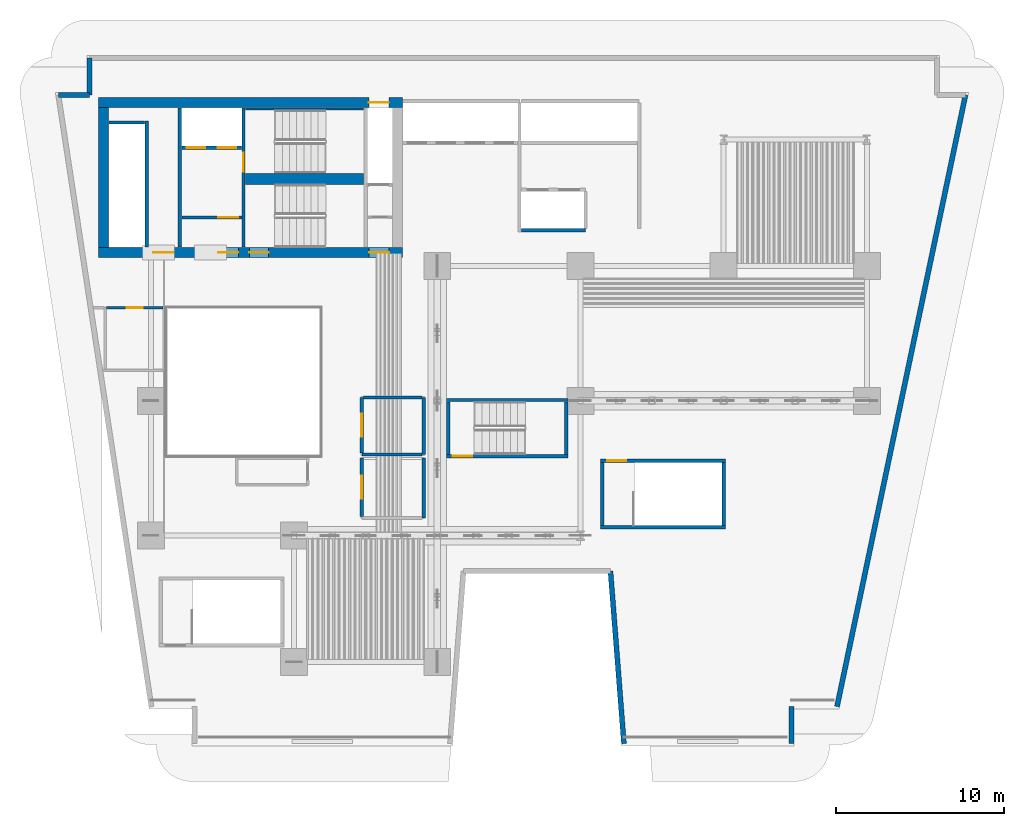
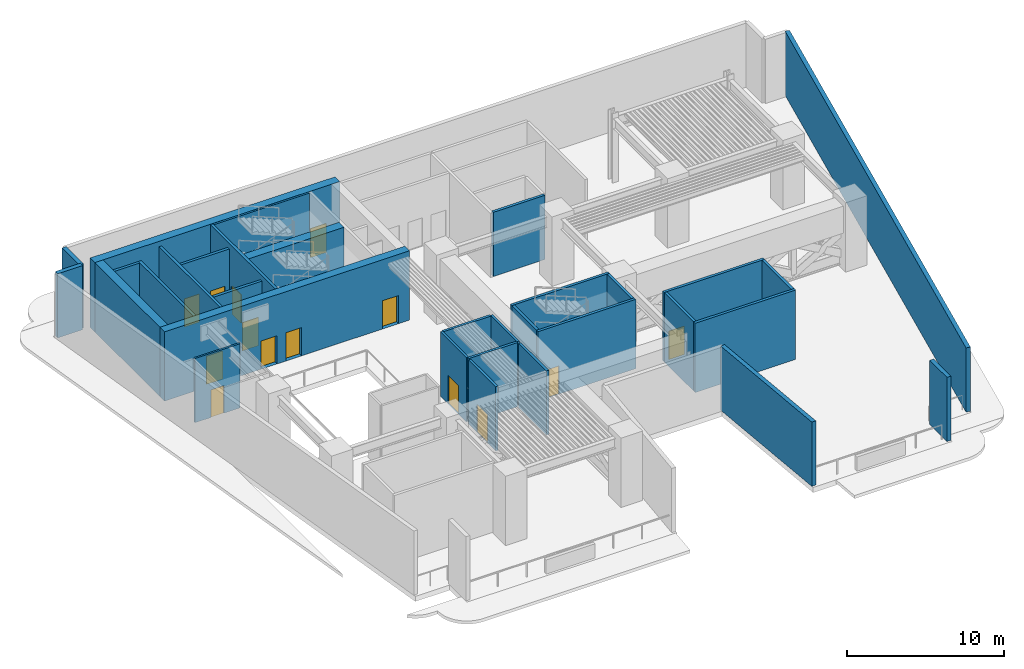
# One storey, part 4 of 9: 32 walls, 14 doors, 14 openings.
"""IFC4 building model written with IfcOpenShell, lengths in metres."""

from ifc_helpers import new_model, si_unit, direction, frame, frame_2d, origin, place, context, subcontext, project, spatial, rectangle, extrude, material, layer, layer_set, type_object, element, fill, save


model = new_model("IFC4")

# Units and contexts
model_context = context("Model", 3, precision=1e-05, world=origin(), true_north=direction((0.0, 1.0)))
body_context = subcontext(model_context, "Body", "Model", "MODEL_VIEW")
ifc_project = project(units=[si_unit("LENGTHUNIT", "METRE"), si_unit("AREAUNIT", "SQUARE_METRE"), si_unit("VOLUMEUNIT", "CUBIC_METRE"), si_unit("PLANEANGLEUNIT", "RADIAN"), si_unit("MASSUNIT", "GRAM", prefix="KILO")], contexts=[model_context])

# Site, building, storey
site_placement = place(None, origin())
site = spatial("IfcSite", under=ifc_project, at=site_placement, CompositionType="ELEMENT")
building_placement = place(site_placement, origin())
building = spatial("IfcBuilding", under=site, at=building_placement, Name="Caeloran Harvest Quay", CompositionType="ELEMENT")
storey_placement = place(building_placement, frame((0.0, 0.0, 21.60009765625)))
storey = spatial("IfcBuildingStorey", under=building, at=storey_placement, Name="L05", CompositionType="ELEMENT", Elevation=21.60009765625)

# Walls
ifc_material_1 = material(Name="Precast concrete C50/60", Category="concrete")
ifc_layer_1 = layer(ifc_material_1, 0.300048828125, Name="Precast concrete C50/60")
ifc_layer_set_1 = layer_set([ifc_layer_1], Name="Precast concrete C50/60")
wall_type_1 = type_object("IfcWallType", Name="ENV-WALL-EW-300", PredefinedType="STANDARD", material=ifc_layer_set_1)
wall_1_placement = place(storey_placement, frame((3.00927734375, 41.14990234375, 0.0), z_axis=(0.0, 0.0, 1.0), x_axis=(1.0, 0.0, 0.0)))
element("IfcWall", 1, at=wall_1_placement, inside=storey, type_object=wall_type_1, Name="L05 Exterior Precast Concrete Facade Wall 4", PredefinedType="STANDARD", context=body_context, shape_type="SweptSolid", body=[
    extrude(rectangle(XDim=1.8408203125, YDim=0.300048828125, at=frame_2d((0.92041015625, 0.0))), origin(), (0.0, 0.0, 1.0), 5.0),
])
wall_2_placement = place(storey_placement, frame((4.85009765625, 41.14990234375, 0.0), z_axis=(0.0, 0.0, 1.0), x_axis=(0.0, 1.0, 0.0)))
element("IfcWall", 2, at=wall_2_placement, inside=storey, type_object=wall_type_1, Name="L05 Exterior Precast Concrete Facade Wall 5", PredefinedType="STANDARD", context=body_context, shape_type="SweptSolid", body=[
    extrude(rectangle(XDim=2.2001953125, YDim=0.300048828125, at=frame_2d((1.10009765625, 0.0))), origin(), (0.0, 0.0, 1.0), 5.0),
])
wall_3_placement = place(storey_placement, frame((56.85302734375, 41.14990234375, 0.0), z_axis=(0.0, 0.0, 1.0), x_axis=(-0.205588847133, -0.978638455168, 0.0)))
element("IfcWall", 3, at=wall_3_placement, inside=storey, type_object=wall_type_1, Name="L05 Exterior Precast Concrete Facade Wall 9", PredefinedType="STANDARD", context=body_context, shape_type="SweptSolid", body=[
    extrude(rectangle(XDim=37.092041015625, YDim=0.300048828125, at=frame_2d((18.5458984375, 0.0))), origin(), (0.0, 0.0, 1.0), 5.0),
])
wall_4_placement = place(storey_placement, frame((46.537109375, 4.85009765625, 0.0), z_axis=(0.0, 0.0, 1.0), x_axis=(0.0, -1.0, 0.0)))
element("IfcWall", 4, at=wall_4_placement, inside=storey, type_object=wall_type_1, Name="L05 Exterior Precast Concrete Facade Wall 11", PredefinedType="STANDARD", context=body_context, shape_type="SweptSolid", body=[
    extrude(rectangle(XDim=2.2001953125, YDim=0.300048828125, at=frame_2d((1.10009765625, 0.0))), origin(), (0.0, 0.0, 1.0), 5.0),
])
wall_5_placement = place(storey_placement, frame((36.5791015625, 2.64990234375, 0.0), z_axis=(0.0, 0.0, 1.0), x_axis=(-0.077793257511, 0.996969512616, 0.0)))
element("IfcWall", 5, at=wall_5_placement, inside=storey, type_object=wall_type_1, Name="L05 Exterior Precast Concrete Facade Wall 13", PredefinedType="STANDARD", context=body_context, shape_type="SweptSolid", body=[
    extrude(rectangle(XDim=10.28125, YDim=0.300048828125, at=frame_2d((5.140625, 0.0))), origin(), (0.0, 0.0, 1.0), 5.0),
])

# Wall, opening, door
ifc_material_2 = material(Name="Moisture-Resistant Cement-Board Sanitary Partition", Category="gypsum")
ifc_layer_2 = layer(ifc_material_2, 0.139892578125, Name="Moisture-Resistant Cement-Board Sanitary Partition")
ifc_layer_set_2 = layer_set([ifc_layer_2], Name="Moisture-Resistant Cement-Board Sanitary Partition")
wall_type_2 = type_object("IfcWallType", Name="INT-WALL-PW-140", PredefinedType="PARTITIONING", material=ifc_layer_set_2)
wall_6_placement = place(storey_placement, frame((5.875, 28.52001953125, 0.0), z_axis=(0.0, 0.0, 1.0), x_axis=(1.0, 0.0, 0.0)))
wall_6 = element("IfcWall", 6, at=wall_6_placement, inside=storey, type_object=wall_type_2, Name="L05 Refuge Accessible Unisex Washroom WC Partition Wall", PredefinedType="PARTITIONING", context=body_context, shape_type="SweptSolid", body=[
    extrude(rectangle(XDim=3.340087890625, YDim=0.139892578125, at=frame_2d((1.669921875, 0.0))), origin(), (0.0, 0.0, 1.0), 5.0),
])
opening_1_placement = place(wall_6_placement, frame((1.195068359375, 0.0, 0.0)))
opening_1 = element("IfcOpeningElement", 7, at=opening_1_placement, cuts=wall_6, Name="Opening WC-01", PredefinedType="OPENING", context=body_context, shape_type="SweptSolid", body=[
    extrude(rectangle(XDim=0.949951171875, YDim=2.14990234375, at=frame_2d((0.47509765625, 1.074951171875))), frame((0.0, 0.080078125, 0.0), z_axis=(0.0, -1.0, 0.0), x_axis=(1.0, 0.0, 0.0)), (0.0, 0.0, 1.0), 0.159912109375),
])
ifc_material_3 = material(Name="High-Pressure Laminate Moisture-Resistant Timber", Category="wood")
door_type_1 = type_object("IfcDoorType", Name="INTDOOR-WC-01", OperationType="NOTDEFINED", PredefinedType="DOOR", material=ifc_material_3)
door_1_placement = place(opening_1_placement, origin())
door_1 = element("IfcDoor", 8, at=door_1_placement, inside=storey, type_object=door_type_1, Name="L05 Refuge Accessible Unisex Washroom WC Access Door", OperationType="SINGLE_SWING_RIGHT", OverallHeight=2.14990234375, OverallWidth=0.949951171875, PredefinedType="DOOR", context=body_context, shape_type="SweptSolid", body=[
    extrude(rectangle(XDim=0.949951171875, YDim=2.14990234375, at=frame_2d((0.47509765625, 1.074951171875))), frame((0.0, 0.02490234375, 0.0), z_axis=(0.0, -1.0, 0.0), x_axis=(1.0, 0.0, 0.0)), (0.0, 0.0, 1.0), 0.050048828125),
])
fill(opening_1, door_1)

# Walls
ifc_material_4 = material(Name="Autoclaved Aerated Concrete Blockwork", Category="masonry")
ifc_layer_3 = layer(ifc_material_4, 0.179931640625, Name="Autoclaved Aerated Concrete Blockwork")
ifc_layer_set_3 = layer_set([ifc_layer_3], Name="Autoclaved Aerated Concrete Blockwork")
wall_type_3 = type_object("IfcWallType", Name="INT-WALL-PW-180", PredefinedType="PARTITIONING", material=ifc_layer_set_3)
wall_7_placement = place(storey_placement, frame((24.699951171875, 23.199951171875, 0.0), z_axis=(0.0, 0.0, 1.0), x_axis=(0.0, -1.0, 0.0)))
element("IfcWall", 9, at=wall_7_placement, inside=storey, type_object=wall_type_3, Name="L05 Dedicated Outdoor Air Handling and Dehumidification Plant Room Partition Wall", PredefinedType="PARTITIONING", context=body_context, shape_type="SweptSolid", body=[
    extrude(rectangle(XDim=3.39990234375, YDim=0.179931640625, at=frame_2d((1.699951171875, 0.0))), origin(), (0.0, 0.0, 1.0), 5.0),
])
wall_8_placement = place(storey_placement, frame((24.60498046875, 19.800048828125, 0.0), z_axis=(0.0, 0.0, 1.0), x_axis=(-1.0, 0.0, 0.0)))
element("IfcWall", 10, at=wall_8_placement, inside=storey, type_object=wall_type_3, Name="L05 Dedicated Outdoor Air Handling and Dehumidification Plant Room Partition Wall", PredefinedType="PARTITIONING", context=body_context, shape_type="SweptSolid", body=[
    extrude(rectangle(XDim=3.5849609375, YDim=0.179931640625, at=frame_2d((1.79248046875, 0.0))), origin(), (0.0, 0.0, 1.0), 5.0),
])

# Wall, opening, door
wall_9_placement = place(storey_placement, frame((21.02001953125, 19.89501953125, 0.0), z_axis=(0.0, 0.0, 1.0), x_axis=(0.0, 1.0, 0.0)))
wall_9 = element("IfcWall", 11, at=wall_9_placement, inside=storey, type_object=wall_type_3, Name="L05 Dedicated Outdoor Air Handling and Dehumidification Plant Room Partition Wall", PredefinedType="PARTITIONING", context=body_context, shape_type="SweptSolid", body=[
    extrude(rectangle(XDim=3.304931640625, YDim=0.179931640625, at=frame_2d((1.65234375, 0.0))), origin(), (0.0, 0.0, 1.0), 5.0),
])
opening_2_placement = place(wall_9_placement, frame((0.9775390625, 0.0, 0.0)))
opening_2 = element("IfcOpeningElement", 12, at=opening_2_placement, cuts=wall_9, Name="Opening ID-02", PredefinedType="OPENING", context=body_context, shape_type="SweptSolid", body=[
    extrude(rectangle(XDim=1.35009765625, YDim=2.199951171875, at=frame_2d((0.675048828125, 1.10009765625))), frame((0.0, 0.10009765625, 0.0), z_axis=(0.0, -1.0, 0.0), x_axis=(1.0, 0.0, 0.0)), (0.0, 0.0, 1.0), 0.199951171875),
])
ifc_material_5 = material(Name="Powder-Coated Steel Acoustic Leaf", Category="steel")
door_type_2 = type_object("IfcDoorType", Name="INTDOOR-ID-02", OperationType="NOTDEFINED", PredefinedType="DOOR", material=ifc_material_5)
door_2_placement = place(opening_2_placement, origin())
door_2 = element("IfcDoor", 13, at=door_2_placement, inside=storey, type_object=door_type_2, Name="L05 Dedicated Outdoor Air Handling and Dehumidification Plant Room Access Door", OperationType="SINGLE_SWING_LEFT", OverallHeight=2.199951171875, OverallWidth=1.35009765625, PredefinedType="DOOR", context=body_context, shape_type="SweptSolid", body=[
    extrude(rectangle(XDim=1.35009765625, YDim=2.199951171875, at=frame_2d((0.675048828125, 1.10009765625))), frame((0.0, 0.02490234375, 0.0), z_axis=(0.0, -1.0, 0.0), x_axis=(1.0, 0.0, 0.0)), (0.0, 0.0, 1.0), 0.050048828125),
])
fill(opening_2, door_2)

# Walls
wall_10_placement = place(storey_placement, frame((21.114990234375, 23.199951171875, 0.0), z_axis=(0.0, 0.0, 1.0), x_axis=(1.0, 0.0, 0.0)))
element("IfcWall", 14, at=wall_10_placement, inside=storey, type_object=wall_type_3, Name="L05 Dedicated Outdoor Air Handling and Dehumidification Plant Room Partition Wall", PredefinedType="PARTITIONING", context=body_context, shape_type="SweptSolid", body=[
    extrude(rectangle(XDim=3.489990234375, YDim=0.179931640625, at=frame_2d((1.7451171875, 0.0))), origin(), (0.0, 0.0, 1.0), 5.0),
])
wall_11_placement = place(storey_placement, frame((24.699951171875, 19.60009765625, 0.0), z_axis=(0.0, 0.0, 1.0), x_axis=(0.0, -1.0, 0.0)))
element("IfcWall", 15, at=wall_11_placement, inside=storey, type_object=wall_type_3, Name="L05 Zone Chilled-Water Heat Exchanger and Pump Plant Room Partition Wall", PredefinedType="PARTITIONING", context=body_context, shape_type="SweptSolid", body=[
    extrude(rectangle(XDim=3.550048828125, YDim=0.179931640625, at=frame_2d((1.77490234375, 0.0))), origin(), (0.0, 0.0, 1.0), 5.0),
])

# Wall, opening, door
wall_12_placement = place(storey_placement, frame((21.02001953125, 16.14501953125, 0.0), z_axis=(0.0, 0.0, 1.0), x_axis=(0.0, 1.0, 0.0)))
wall_12 = element("IfcWall", 16, at=wall_12_placement, inside=storey, type_object=wall_type_3, Name="L05 Zone Chilled-Water Heat Exchanger and Pump Plant Room Partition Wall", PredefinedType="PARTITIONING", context=body_context, shape_type="SweptSolid", body=[
    extrude(rectangle(XDim=3.455078125, YDim=0.179931640625, at=frame_2d((1.7275390625, 0.0))), origin(), (0.0, 0.0, 1.0), 5.0),
])
opening_3_placement = place(wall_12_placement, frame((1.052490234375, 0.0, 0.0)))
opening_3 = element("IfcOpeningElement", 17, at=opening_3_placement, cuts=wall_12, Name="Opening ID-02", PredefinedType="OPENING", context=body_context, shape_type="SweptSolid", body=[
    extrude(rectangle(XDim=1.35009765625, YDim=2.199951171875, at=frame_2d((0.675048828125, 1.10009765625))), frame((0.0, 0.10009765625, 0.0), z_axis=(0.0, -1.0, 0.0), x_axis=(1.0, 0.0, 0.0)), (0.0, 0.0, 1.0), 0.199951171875),
])
door_3_placement = place(opening_3_placement, origin())
door_3 = element("IfcDoor", 18, at=door_3_placement, inside=storey, type_object=door_type_2, Name="L05 Zone Chilled-Water Heat Exchanger and Pump Plant Room Access Door", OperationType="SINGLE_SWING_RIGHT", OverallHeight=2.199951171875, OverallWidth=1.35009765625, PredefinedType="DOOR", context=body_context, shape_type="SweptSolid", body=[
    extrude(rectangle(XDim=1.35009765625, YDim=2.199951171875, at=frame_2d((0.675048828125, 1.10009765625))), frame((0.0, 0.02490234375, 0.0), z_axis=(0.0, -1.0, 0.0), x_axis=(1.0, 0.0, 0.0)), (0.0, 0.0, 1.0), 0.050048828125),
])
fill(opening_3, door_3)

# Walls
ifc_material_6 = material(Name="Concrete C50/60", Category="concrete")
ifc_layer_4 = layer(ifc_material_6, 0.199951171875, Name="Concrete C50/60")
ifc_layer_set_4 = layer_set([ifc_layer_4], Name="Concrete C50/60")
wall_type_4 = type_object("IfcWallType", Name="INT-WALL-SW-200", PredefinedType="PARTITIONING", material=ifc_layer_set_4)
wall_13_placement = place(storey_placement, frame((8.260009765625, 32.1201171875, 0.0), z_axis=(0.0, 0.0, 1.0), x_axis=(0.0, 1.0, 0.0)))
element("IfcWall", 19, at=wall_13_placement, inside=storey, type_object=wall_type_4, Name="L05 Bank 3 Lift Shaft Wall", PredefinedType="PARTITIONING", context=body_context, shape_type="SweptSolid", body=[
    extrude(rectangle(XDim=7.5, YDim=0.199951171875, at=frame_2d((3.75, 0.0))), origin(), (0.0, 0.0, 1.0), 5.0),
])
wall_14_placement = place(storey_placement, frame((6.02001953125, 39.52001953125, 0.0), z_axis=(0.0, 0.0, 1.0), x_axis=(1.0, 0.0, 0.0)))
element("IfcWall", 20, at=wall_14_placement, inside=storey, type_object=wall_type_4, Name="L05 Bank 3 Lift Shaft North End Wall", PredefinedType="PARTITIONING", context=body_context, shape_type="SweptSolid", body=[
    extrude(rectangle(XDim=2.119873046875, YDim=0.199951171875, at=frame_2d((1.06005859375, 0.0))), origin(), (0.0, 0.0, 1.0), 5.0),
])
wall_15_placement = place(storey_placement, frame((10.219970703125, 32.1201171875, 0.0), z_axis=(0.0, 0.0, 1.0), x_axis=(0.0, 1.0, 0.0)))
element("IfcWall", 21, at=wall_15_placement, inside=storey, type_object=wall_type_4, Name="L05 Core Lobby Compartment Wall", PredefinedType="PARTITIONING", context=body_context, shape_type="SweptSolid", body=[
    extrude(rectangle(XDim=8.259765625, YDim=0.199951171875, at=frame_2d((4.1298828125, 0.0))), origin(), (0.0, 0.0, 1.0), 5.0),
])

# Wall, openings, doors
wall_16_placement = place(storey_placement, frame((10.340087890625, 38.02001953125, 0.0), z_axis=(0.0, 0.0, 1.0), x_axis=(1.0, 0.0, 0.0)))
wall_16 = element("IfcWall", 22, at=wall_16_placement, inside=storey, type_object=wall_type_4, Name="L05 Firefighting Lift Shaft Wall", PredefinedType="PARTITIONING", context=body_context, shape_type="SweptSolid", body=[
    extrude(rectangle(XDim=3.539794921875, YDim=0.199951171875, at=frame_2d((1.77001953125, 0.0))), origin(), (0.0, 0.0, 1.0), 5.0),
])
opening_4_placement = place(wall_16_placement, frame((0.284912109375, 0.0, 0.0)))
opening_4 = element("IfcOpeningElement", 23, at=opening_4_placement, cuts=wall_16, Name="Opening LD-01", PredefinedType="OPENING", context=body_context, shape_type="SweptSolid", body=[
    extrude(rectangle(XDim=1.10009765625, YDim=2.199951171875, at=frame_2d((0.550048828125, 1.10009765625))), frame((0.0, 0.10986328125, 0.0), z_axis=(0.0, -1.0, 0.0), x_axis=(1.0, 0.0, 0.0)), (0.0, 0.0, 1.0), 0.219970703125),
])
opening_5_placement = place(wall_16_placement, frame((2.135009765625, 0.0, 0.0)))
opening_5 = element("IfcOpeningElement", 24, at=opening_5_placement, cuts=wall_16, Name="Opening LD-01", PredefinedType="OPENING", context=body_context, shape_type="SweptSolid", body=[
    extrude(rectangle(XDim=1.10009765625, YDim=2.199951171875, at=frame_2d((0.550048828125, 1.10009765625))), frame((0.0, 0.10986328125, 0.0), z_axis=(0.0, -1.0, 0.0), x_axis=(1.0, 0.0, 0.0)), (0.0, 0.0, 1.0), 0.219970703125),
])
ifc_material_7 = material(Name="Stainless Steel Grade 316", Category="steel")
door_type_3 = type_object("IfcDoorType", Name="INTDOOR-LD-01", OperationType="NOTDEFINED", PredefinedType="DOOR", material=ifc_material_7)
door_4_placement = place(opening_4_placement, origin())
door_4 = element("IfcDoor", 25, at=door_4_placement, inside=storey, type_object=door_type_3, Name="Lift FF-1 Sliding Landing Door (L05)", OperationType="DOUBLE_DOOR_SLIDING", OverallHeight=2.199951171875, OverallWidth=1.10009765625, PredefinedType="DOOR", context=body_context, shape_type="SweptSolid", body=[
    extrude(rectangle(XDim=1.10009765625, YDim=2.199951171875, at=frame_2d((0.550048828125, 1.10009765625))), frame((0.0, 0.02490234375, 0.0), z_axis=(0.0, -1.0, 0.0), x_axis=(1.0, 0.0, 0.0)), (0.0, 0.0, 1.0), 0.050048828125),
])
fill(opening_4, door_4)
door_5_placement = place(opening_5_placement, origin())
door_5 = element("IfcDoor", 26, at=door_5_placement, inside=storey, type_object=door_type_3, Name="Lift FF-2 Sliding Landing Door (L05)", OperationType="DOUBLE_DOOR_SLIDING", OverallHeight=2.199951171875, OverallWidth=1.10009765625, PredefinedType="DOOR", context=body_context, shape_type="SweptSolid", body=[
    extrude(rectangle(XDim=1.10009765625, YDim=2.199951171875, at=frame_2d((0.550048828125, 1.10009765625))), frame((0.0, 0.02490234375, 0.0), z_axis=(0.0, -1.0, 0.0), x_axis=(1.0, 0.0, 0.0)), (0.0, 0.0, 1.0), 0.050048828125),
])
fill(opening_5, door_5)

# Wall, opening, door
wall_17_placement = place(storey_placement, frame((10.340087890625, 33.8798828125, 0.0), z_axis=(0.0, 0.0, 1.0), x_axis=(1.0, 0.0, 0.0)))
wall_17 = element("IfcWall", 27, at=wall_17_placement, inside=storey, type_object=wall_type_4, Name="L05 Firefighting Lift Lobby Enclosure Wall", PredefinedType="PARTITIONING", context=body_context, shape_type="SweptSolid", body=[
    extrude(rectangle(XDim=3.559814453125, YDim=0.199951171875, at=frame_2d((1.77978515625, 0.0))), origin(), (0.0, 0.0, 1.0), 5.0),
])
opening_6_placement = place(wall_17_placement, frame((2.14990234375, 0.0, 0.0)))
opening_6 = element("IfcOpeningElement", 28, at=opening_6_placement, cuts=wall_17, Name="Opening FD-01", PredefinedType="OPENING", context=body_context, shape_type="SweptSolid", body=[
    extrude(rectangle(XDim=1.199951171875, YDim=2.199951171875, at=frame_2d((0.60009765625, 1.10009765625))), frame((0.0, 0.10986328125, 0.0), z_axis=(0.0, -1.0, 0.0), x_axis=(1.0, 0.0, 0.0)), (0.0, 0.0, 1.0), 0.219970703125),
])
ifc_material_8 = material(Name="Steel", Category="steel")
door_type_4 = type_object("IfcDoorType", Name="INTDOOR-FD-01", OperationType="NOTDEFINED", PredefinedType="DOOR", material=ifc_material_8)
door_6_placement = place(opening_6_placement, origin())
door_6 = element("IfcDoor", 29, at=door_6_placement, inside=storey, type_object=door_type_4, Name="L05 Firefighting Lift Lobby Smoke-Seal Fire Door", OperationType="SINGLE_SWING_LEFT", OverallHeight=2.199951171875, OverallWidth=1.199951171875, PredefinedType="DOOR", context=body_context, shape_type="SweptSolid", body=[
    extrude(rectangle(XDim=1.199951171875, YDim=2.199951171875, at=frame_2d((0.60009765625, 1.10009765625))), frame((0.0, 0.02490234375, 0.0), z_axis=(0.0, -1.0, 0.0), x_axis=(1.0, 0.0, 0.0)), (0.0, 0.0, 1.0), 0.050048828125),
])
fill(opening_6, door_6)

# Wall
wall_18_placement = place(storey_placement, frame((30.5, 33.1201171875, 0.0), z_axis=(0.0, 0.0, 1.0), x_axis=(1.0, 0.0, 0.0)))
element("IfcWall", 30, at=wall_18_placement, inside=storey, type_object=wall_type_4, Name="L05 Shuttle Lift Shaft South Wall", PredefinedType="PARTITIONING", context=body_context, shape_type="SweptSolid", body=[
    extrude(rectangle(XDim=3.800048828125, YDim=0.199951171875, at=frame_2d((1.89990234375, 0.0))), origin(), (0.0, 0.0, 1.0), 5.0),
])

# Wall, opening, door
ifc_material_9 = material(Name="Concrete C80/95", Category="concrete")
ifc_layer_5 = layer(ifc_material_9, 0.60009765625, Name="Concrete C80/95")
ifc_layer_set_5 = layer_set([ifc_layer_5], Name="Concrete C80/95")
wall_type_5 = type_object("IfcWallType", Name="STR-WALL-CW-600", PredefinedType="SHEAR", material=ifc_layer_set_5)
wall_19_placement = place(storey_placement, frame((5.39990234375, 40.699951171875, 0.0), z_axis=(0.0, 0.0, 1.0), x_axis=(1.0, 0.0, 0.0)))
wall_19 = element("IfcWall", 31, at=wall_19_placement, inside=storey, type_object=wall_type_5, Name="L05 Rear Core Shear Wall N", PredefinedType="SHEAR", context=body_context, shape_type="SweptSolid", body=[
    extrude(rectangle(XDim=18.050048828125, YDim=0.60009765625, at=frame_2d((9.02490234375, 0.0))), origin(), (0.0, 0.0, 1.0), 5.39990234375),
])
opening_7_placement = place(wall_19_placement, frame((16.044921875, 0.0, 0.0)))
opening_7 = element("IfcOpeningElement", 32, at=opening_7_placement, cuts=wall_19, Name="Opening LD-02", PredefinedType="OPENING", context=body_context, shape_type="SweptSolid", body=[
    extrude(rectangle(XDim=1.179931640625, YDim=2.25, at=frame_2d((0.58984375, 1.125))), frame((0.0, 0.31005859375, 0.0), z_axis=(0.0, -1.0, 0.0), x_axis=(1.0, 0.0, 0.0)), (0.0, 0.0, 1.0), 0.6201171875),
])
door_type_5 = type_object("IfcDoorType", Name="INTDOOR-LD-02", OperationType="NOTDEFINED", PredefinedType="DOOR", material=ifc_material_7)
door_7_placement = place(opening_7_placement, origin())
door_7 = element("IfcDoor", 33, at=door_7_placement, inside=storey, type_object=door_type_5, Name="Lift SV-1 Sliding Landing Door (L05)", OperationType="DOUBLE_DOOR_SLIDING", OverallHeight=2.25, OverallWidth=1.179931640625, PredefinedType="DOOR", context=body_context, shape_type="SweptSolid", body=[
    extrude(rectangle(XDim=1.179931640625, YDim=2.25, at=frame_2d((0.58984375, 1.125))), frame((0.0, 0.02490234375, 0.0), z_axis=(0.0, -1.0, 0.0), x_axis=(1.0, 0.0, 0.0)), (0.0, 0.0, 1.0), 0.050048828125),
])
fill(opening_7, door_7)

# Wall, openings, doors
wall_20_placement = place(storey_placement, frame((5.39990234375, 31.800048828125, 0.0), z_axis=(0.0, 0.0, 1.0), x_axis=(1.0, 0.0, 0.0)))
wall_20 = element("IfcWall", 34, at=wall_20_placement, inside=storey, type_object=wall_type_5, Name="L05 Rear Core Shear Wall S", PredefinedType="SHEAR", context=body_context, shape_type="SweptSolid", body=[
    extrude(rectangle(XDim=18.050048828125, YDim=0.60009765625, at=frame_2d((9.02490234375, 0.0))), origin(), (0.0, 0.0, 1.0), 5.39990234375),
])
opening_8_placement = place(wall_20_placement, frame((3.25, 0.0, 0.0)))
opening_8 = element("IfcOpeningElement", 35, at=opening_8_placement, cuts=wall_20, Name="Opening FD-01", PredefinedType="OPENING", context=body_context, shape_type="SweptSolid", body=[
    extrude(rectangle(XDim=1.199951171875, YDim=2.199951171875, at=frame_2d((0.60009765625, 1.10009765625))), frame((0.0, 0.31005859375, 0.0), z_axis=(0.0, -1.0, 0.0), x_axis=(1.0, 0.0, 0.0)), (0.0, 0.0, 1.0), 0.6201171875),
])
opening_9_placement = place(wall_20_placement, frame((7.10009765625, 0.0, 0.0)))
opening_9 = element("IfcOpeningElement", 36, at=opening_9_placement, cuts=wall_20, Name="Opening FD-01", PredefinedType="OPENING", context=body_context, shape_type="SweptSolid", body=[
    extrude(rectangle(XDim=1.199951171875, YDim=2.199951171875, at=frame_2d((0.60009765625, 1.10009765625))), frame((0.0, 0.31005859375, 0.0), z_axis=(0.0, -1.0, 0.0), x_axis=(1.0, 0.0, 0.0)), (0.0, 0.0, 1.0), 0.6201171875),
])
opening_10_placement = place(wall_20_placement, frame((8.949951171875, 0.0, 0.0)))
opening_10 = element("IfcOpeningElement", 37, at=opening_10_placement, cuts=wall_20, Name="Opening SD-01", PredefinedType="OPENING", context=body_context, shape_type="SweptSolid", body=[
    extrude(rectangle(XDim=1.14990234375, YDim=2.199951171875, at=frame_2d((0.574951171875, 1.10009765625))), frame((0.0, 0.31005859375, 0.0), z_axis=(0.0, -1.0, 0.0), x_axis=(1.0, 0.0, 0.0)), (0.0, 0.0, 1.0), 0.6201171875),
])
opening_11_placement = place(wall_20_placement, frame((16.050048828125, 0.0, 0.0)))
opening_11 = element("IfcOpeningElement", 38, at=opening_11_placement, cuts=wall_20, Name="Opening FD-01", PredefinedType="OPENING", context=body_context, shape_type="SweptSolid", body=[
    extrude(rectangle(XDim=1.199951171875, YDim=2.199951171875, at=frame_2d((0.60009765625, 1.10009765625))), frame((0.0, 0.31005859375, 0.0), z_axis=(0.0, -1.0, 0.0), x_axis=(1.0, 0.0, 0.0)), (0.0, 0.0, 1.0), 0.6201171875),
])
door_8_placement = place(opening_8_placement, origin())
door_8 = element("IfcDoor", 39, at=door_8_placement, inside=storey, type_object=door_type_4, Name="L05 High-Rise Lift Lobby Fire Door", OperationType="SINGLE_SWING_LEFT", OverallHeight=2.199951171875, OverallWidth=1.199951171875, PredefinedType="DOOR", context=body_context, shape_type="SweptSolid", body=[
    extrude(rectangle(XDim=1.199951171875, YDim=2.199951171875, at=frame_2d((0.60009765625, 1.10009765625))), frame((0.0, 0.02490234375, 0.0), z_axis=(0.0, -1.0, 0.0), x_axis=(1.0, 0.0, 0.0)), (0.0, 0.0, 1.0), 0.050048828125),
])
fill(opening_8, door_8)
door_9_placement = place(opening_9_placement, origin())
door_9 = element("IfcDoor", 40, at=door_9_placement, inside=storey, type_object=door_type_4, Name="L05 Firefighting Lobby Vestibule Fire Door", OperationType="SINGLE_SWING_RIGHT", OverallHeight=2.199951171875, OverallWidth=1.199951171875, PredefinedType="DOOR", context=body_context, shape_type="SweptSolid", body=[
    extrude(rectangle(XDim=1.199951171875, YDim=2.199951171875, at=frame_2d((0.60009765625, 1.10009765625))), frame((0.0, 0.02490234375, 0.0), z_axis=(0.0, -1.0, 0.0), x_axis=(1.0, 0.0, 0.0)), (0.0, 0.0, 1.0), 0.050048828125),
])
fill(opening_9, door_9)
door_10_placement = place(opening_11_placement, origin())
door_10 = element("IfcDoor", 41, at=door_10_placement, inside=storey, type_object=door_type_4, Name="L05 Service Lift Lobby Fire Door", OperationType="SINGLE_SWING_RIGHT", OverallHeight=2.199951171875, OverallWidth=1.199951171875, PredefinedType="DOOR", context=body_context, shape_type="SweptSolid", body=[
    extrude(rectangle(XDim=1.199951171875, YDim=2.199951171875, at=frame_2d((0.60009765625, 1.10009765625))), frame((0.0, 0.02490234375, 0.0), z_axis=(0.0, -1.0, 0.0), x_axis=(1.0, 0.0, 0.0)), (0.0, 0.0, 1.0), 0.050048828125),
])
fill(opening_11, door_10)
door_type_6 = type_object("IfcDoorType", Name="INTDOOR-SD-01", OperationType="NOTDEFINED", PredefinedType="DOOR", material=ifc_material_8)
door_11_placement = place(opening_10_placement, origin())
door_11 = element("IfcDoor", 42, at=door_11_placement, inside=storey, type_object=door_type_6, Name="L05 Protected Stair ST-C2 Exit Door", OperationType="SINGLE_SWING_LEFT", OverallHeight=2.199951171875, OverallWidth=1.14990234375, PredefinedType="DOOR", context=body_context, shape_type="SweptSolid", body=[
    extrude(rectangle(XDim=1.14990234375, YDim=2.199951171875, at=frame_2d((0.574951171875, 1.10009765625))), frame((0.0, 0.02490234375, 0.0), z_axis=(0.0, -1.0, 0.0), x_axis=(1.0, 0.0, 0.0)), (0.0, 0.0, 1.0), 0.050048828125),
])
fill(opening_10, door_11)

# Walls
wall_21_placement = place(storey_placement, frame((5.699951171875, 32.10009765625, 0.0), z_axis=(0.0, 0.0, 1.0), x_axis=(0.0, 1.0, 0.0)))
element("IfcWall", 43, at=wall_21_placement, inside=storey, type_object=wall_type_5, Name="L05 Rear Core Shear Wall W", PredefinedType="SHEAR", context=body_context, shape_type="SweptSolid", body=[
    extrude(rectangle(XDim=8.2998046875, YDim=0.60009765625, at=frame_2d((4.14990234375, 0.0))), origin(), (0.0, 0.0, 1.0), 5.39990234375),
])
ifc_material_10 = material(Name="Concrete C60/75", Category="concrete")
ifc_layer_6 = layer(ifc_material_10, 0.64990234375, Name="Concrete C60/75")
ifc_layer_set_6 = layer_set([ifc_layer_6], Name="Concrete C60/75")
wall_type_6 = type_object("IfcWallType", Name="STR-WALL-CW-650", PredefinedType="SHEAR", material=ifc_layer_set_6)
wall_22_placement = place(storey_placement, frame((14.1201171875, 36.175048828125, 0.0), z_axis=(0.0, 0.0, 1.0), x_axis=(1.0, 0.0, 0.0)))
element("IfcWall", 44, at=wall_22_placement, inside=storey, type_object=wall_type_6, Name="L05 Core Stairs Dividing Shear Wall", PredefinedType="SHEAR", context=body_context, shape_type="SweptSolid", body=[
    extrude(rectangle(XDim=7.009765625, YDim=0.64990234375, at=frame_2d((3.5048828125, 0.0))), origin(), (0.0, 0.0, 1.0), 5.39990234375),
])
ifc_layer_7 = layer(ifc_material_10, 0.139892578125, Name="Concrete C60/75")
ifc_layer_set_7 = layer_set([ifc_layer_7], Name="Concrete C60/75")
wall_type_7 = type_object("IfcWallType", Name="STR-WALL-SW-140", PredefinedType="SHEAR", material=ifc_layer_set_7)
wall_23_placement = place(storey_placement, frame((14.1201171875, 40.320068359375, 0.0), z_axis=(0.0, 0.0, 1.0), x_axis=(1.0, 0.0, 0.0)))
element("IfcWall", 45, at=wall_23_placement, inside=storey, type_object=wall_type_7, Name="L05 Core Stair ST-C1 North Bearing Shear Wall", PredefinedType="SHEAR", context=body_context, shape_type="SweptSolid", body=[
    extrude(rectangle(XDim=7.009765625, YDim=0.139892578125, at=frame_2d((3.5048828125, 0.0))), origin(), (0.0, 0.0, 1.0), 5.39990234375),
])

# Wall, opening, door
ifc_layer_8 = layer(ifc_material_10, 0.199951171875, Name="Concrete C60/75")
ifc_layer_set_8 = layer_set([ifc_layer_8], Name="Concrete C60/75")
wall_type_8 = type_object("IfcWallType", Name="STR-WALL-SW-200", PredefinedType="SHEAR", material=ifc_layer_set_8)
wall_24_placement = place(storey_placement, frame((14.0, 32.1201171875, 0.0), z_axis=(0.0, 0.0, 1.0), x_axis=(0.0, 1.0, 0.0)))
wall_24 = element("IfcWall", 46, at=wall_24_placement, inside=storey, type_object=wall_type_8, Name="L05 Core Stair Shaft West Shear Wall", PredefinedType="SHEAR", context=body_context, shape_type="SweptSolid", body=[
    extrude(rectangle(XDim=8.259765625, YDim=0.199951171875, at=frame_2d((4.1298828125, 0.0))), origin(), (0.0, 0.0, 1.0), 5.39990234375),
])
opening_12_placement = place(wall_24_placement, frame((4.4599609375, 0.0, 0.0)))
opening_12 = element("IfcOpeningElement", 47, at=opening_12_placement, cuts=wall_24, Name="Opening SD-01", PredefinedType="OPENING", context=body_context, shape_type="SweptSolid", body=[
    extrude(rectangle(XDim=1.14990234375, YDim=2.199951171875, at=frame_2d((0.574951171875, 1.10009765625))), frame((0.0, 0.10986328125, 0.0), z_axis=(0.0, -1.0, 0.0), x_axis=(1.0, 0.0, 0.0)), (0.0, 0.0, 1.0), 0.219970703125),
])
door_12_placement = place(opening_12_placement, origin())
door_12 = element("IfcDoor", 48, at=door_12_placement, inside=storey, type_object=door_type_6, Name="L05 Protected Stair ST-C1 Exit Door", OperationType="SINGLE_SWING_LEFT", OverallHeight=2.199951171875, OverallWidth=1.14990234375, PredefinedType="DOOR", context=body_context, shape_type="SweptSolid", body=[
    extrude(rectangle(XDim=1.14990234375, YDim=2.199951171875, at=frame_2d((0.574951171875, 1.10009765625))), frame((0.0, 0.02490234375, 0.0), z_axis=(0.0, -1.0, 0.0), x_axis=(1.0, 0.0, 0.0)), (0.0, 0.0, 1.0), 0.050048828125),
])
fill(opening_12, door_12)

wall_25_placement = place(storey_placement, frame((26.050048828125, 19.699951171875, 0.0), z_axis=(0.0, 0.0, 1.0), x_axis=(1.0, 0.0, 0.0)))
wall_25 = element("IfcWall", 49, at=wall_25_placement, inside=storey, type_object=wall_type_8, Name="L05 Stair ST-W1 S RC Shaft Shear Wall", PredefinedType="SHEAR", context=body_context, shape_type="SweptSolid", body=[
    extrude(rectangle(XDim=7.199951171875, YDim=0.199951171875, at=frame_2d((3.60009765625, 0.0))), origin(), (0.0, 0.0, 1.0), 5.39990234375),
])
opening_13_placement = place(wall_25_placement, frame((0.3798828125, 0.0, 0.0)))
opening_13 = element("IfcOpeningElement", 50, at=opening_13_placement, cuts=wall_25, Name="Opening SD-01", PredefinedType="OPENING", context=body_context, shape_type="SweptSolid", body=[
    extrude(rectangle(XDim=1.14990234375, YDim=2.199951171875, at=frame_2d((0.574951171875, 1.10009765625))), frame((0.0, 0.10986328125, 0.0), z_axis=(0.0, -1.0, 0.0), x_axis=(1.0, 0.0, 0.0)), (0.0, 0.0, 1.0), 0.219970703125),
])
door_13_placement = place(opening_13_placement, origin())
door_13 = element("IfcDoor", 51, at=door_13_placement, inside=storey, type_object=door_type_6, Name="L05 Protected Exit Stair ST-W1 Fire Door", OperationType="SINGLE_SWING_RIGHT", OverallHeight=2.199951171875, OverallWidth=1.14990234375, PredefinedType="DOOR", context=body_context, shape_type="SweptSolid", body=[
    extrude(rectangle(XDim=1.14990234375, YDim=2.199951171875, at=frame_2d((0.574951171875, 1.10009765625))), frame((0.0, 0.02490234375, 0.0), z_axis=(0.0, -1.0, 0.0), x_axis=(1.0, 0.0, 0.0)), (0.0, 0.0, 1.0), 0.050048828125),
])
fill(opening_13, door_13)

# Walls
wall_26_placement = place(storey_placement, frame((26.050048828125, 23.050048828125, 0.0), z_axis=(0.0, 0.0, 1.0), x_axis=(1.0, 0.0, 0.0)))
element("IfcWall", 52, at=wall_26_placement, inside=storey, type_object=wall_type_8, Name="L05 Stair ST-W1 N RC Shaft Shear Wall", PredefinedType="SHEAR", context=body_context, shape_type="SweptSolid", body=[
    extrude(rectangle(XDim=7.199951171875, YDim=0.199951171875, at=frame_2d((3.60009765625, 0.0))), origin(), (0.0, 0.0, 1.0), 5.39990234375),
])
for number, where, z_axis, x_axis, name in (
    (53, (26.14990234375, 19.81005859375, 0.0), (0.0, 0.0, 1.0), (0.0, 1.0, 0.0), "L05 Stair ST-W1 W RC Shaft Shear Wall"),
    (54, (33.14990234375, 19.81005859375, 0.0), (0.0, 0.0, 1.0), (0.0, 1.0, 0.0), "L05 Stair ST-W1 E RC Shaft Shear Wall"),
):
    element("IfcWall", number, at=place(storey_placement, frame(where, z_axis=z_axis, x_axis=x_axis)), inside=storey, type_object=wall_type_8, Name=name, PredefinedType="SHEAR", context=body_context, shape_type="SweptSolid", body=[
        extrude(rectangle(XDim=3.1298828125, YDim=0.199951171875, at=frame_2d((1.56494140625, 0.0))), origin(), (0.0, 0.0, 1.0), 5.39990234375),
    ])
wall_27_placement = place(storey_placement, frame((35.199951171875, 15.5, 0.0), z_axis=(0.0, 0.0, 1.0), x_axis=(1.0, 0.0, 0.0)))
element("IfcWall", 55, at=wall_27_placement, inside=storey, type_object=wall_type_8, Name="L05 Stair ST-P2 S RC Shaft Shear Wall", PredefinedType="SHEAR", context=body_context, shape_type="SweptSolid", body=[
    extrude(rectangle(XDim=7.400146484375, YDim=0.199951171875, at=frame_2d((3.7001953125, 0.0))), origin(), (0.0, 0.0, 1.0), 5.39990234375),
])

# Wall, opening, door
wall_28_placement = place(storey_placement, frame((35.199951171875, 19.449951171875, 0.0), z_axis=(0.0, 0.0, 1.0), x_axis=(1.0, 0.0, 0.0)))
wall_28 = element("IfcWall", 56, at=wall_28_placement, inside=storey, type_object=wall_type_8, Name="L05 Stair ST-P2 N RC Shaft Shear Wall", PredefinedType="SHEAR", context=body_context, shape_type="SweptSolid", body=[
    extrude(rectangle(XDim=7.400146484375, YDim=0.199951171875, at=frame_2d((3.7001953125, 0.0))), origin(), (0.0, 0.0, 1.0), 5.39990234375),
])
opening_14_placement = place(wall_28_placement, frame((0.3798828125, 0.0, 0.0)))
opening_14 = element("IfcOpeningElement", 57, at=opening_14_placement, cuts=wall_28, Name="Opening SD-01", PredefinedType="OPENING", context=body_context, shape_type="SweptSolid", body=[
    extrude(rectangle(XDim=1.14990234375, YDim=2.199951171875, at=frame_2d((0.574951171875, 1.10009765625))), frame((0.0, 0.10986328125, 0.0), z_axis=(0.0, -1.0, 0.0), x_axis=(1.0, 0.0, 0.0)), (0.0, 0.0, 1.0), 0.219970703125),
])
door_14_placement = place(opening_14_placement, origin())
door_14 = element("IfcDoor", 58, at=door_14_placement, inside=storey, type_object=door_type_6, Name="L05 Protected Exit Stair ST-P2 Fire Door", OperationType="SINGLE_SWING_RIGHT", OverallHeight=2.199951171875, OverallWidth=1.14990234375, PredefinedType="DOOR", context=body_context, shape_type="SweptSolid", body=[
    extrude(rectangle(XDim=1.14990234375, YDim=2.199951171875, at=frame_2d((0.574951171875, 1.10009765625))), frame((0.0, 0.02490234375, 0.0), z_axis=(0.0, -1.0, 0.0), x_axis=(1.0, 0.0, 0.0)), (0.0, 0.0, 1.0), 0.050048828125),
])
fill(opening_14, door_14)

# Walls
for number, where, z_axis, x_axis, name in (
    (59, (35.300048828125, 15.610107421875, 0.0), (0.0, 0.0, 1.0), (0.0, 1.0, 0.0), "L05 Stair ST-P2 W RC Shaft Shear Wall"),
    (60, (42.5, 15.610107421875, 0.0), (0.0, 0.0, 1.0), (0.0, 1.0, 0.0), "L05 Stair ST-P2 E RC Shaft Shear Wall"),
):
    element("IfcWall", number, at=place(storey_placement, frame(where, z_axis=z_axis, x_axis=x_axis)), inside=storey, type_object=wall_type_8, Name=name, PredefinedType="SHEAR", context=body_context, shape_type="SweptSolid", body=[
        extrude(rectangle(XDim=3.72998046875, YDim=0.199951171875, at=frame_2d((1.864990234375, 0.0))), origin(), (0.0, 0.0, 1.0), 5.39990234375),
    ])

save(model, "model.ifc")
